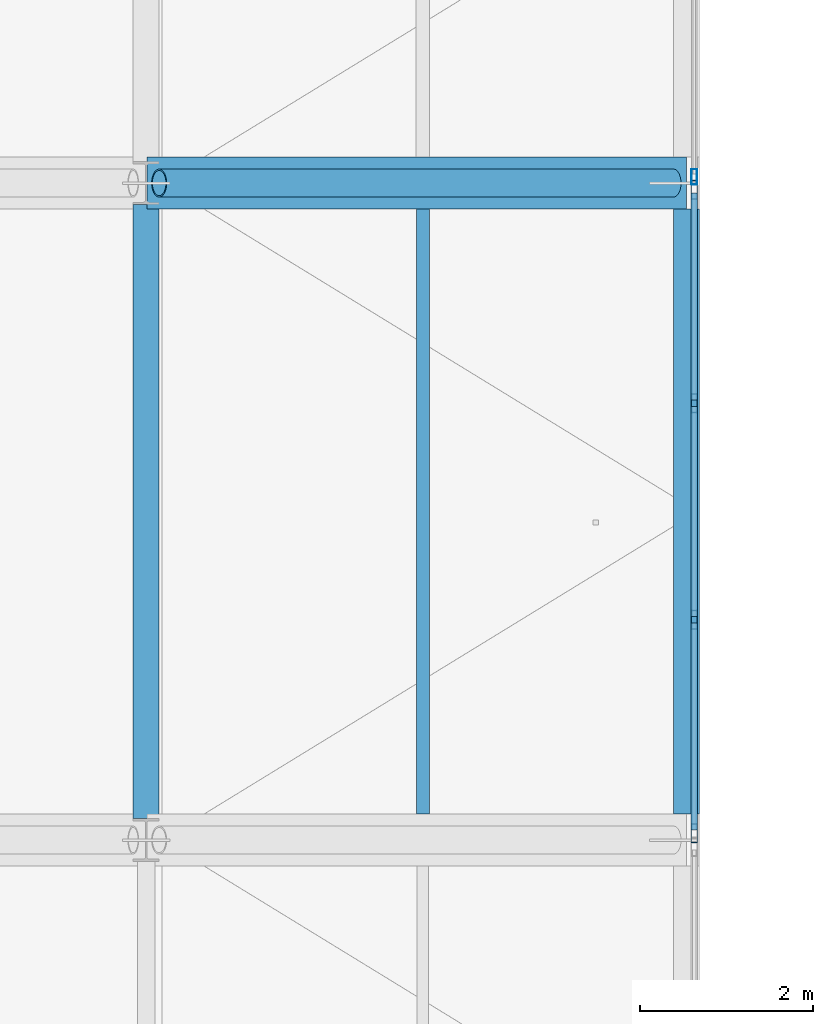
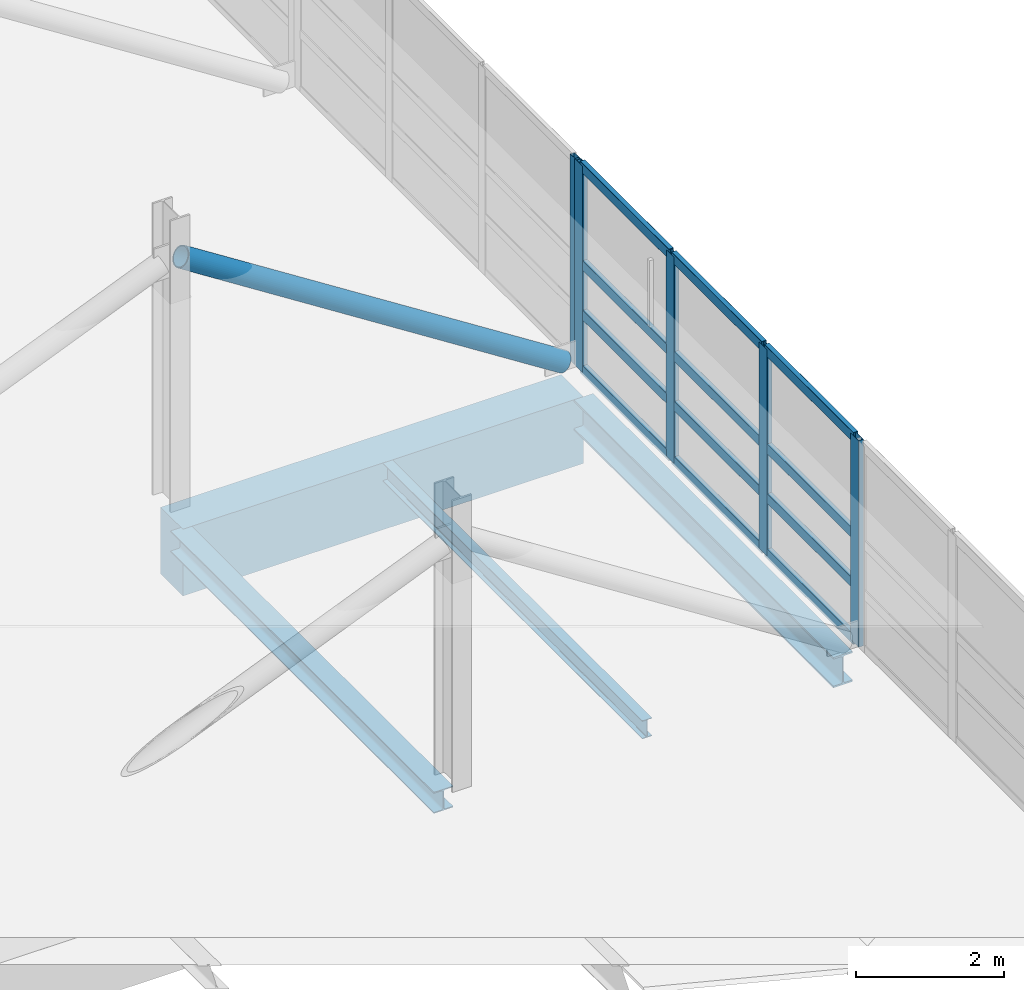
# One storey, part 17 of 147: 18 members, 4 beams, 2 elements without a shape of their own.
"""IFC4 building model written with IfcOpenShell, lengths in metres."""

from ifc_helpers import new_model, si_unit, direction, frame, origin, origin_2d, place, context, subcontext, project, spatial, rectangle, hollow_rectangle, hollow_circle, i_section, extrude, material, material_profile, profile_set, type_object, element, aggregate, save


model = new_model("IFC4")

# Units and contexts
model_context = context("Model", 3, precision=1e-05, world=origin(), true_north=direction((0.0, 1.0)))
body_context = subcontext(model_context, "Body", "Model", "MODEL_VIEW")
ifc_project = project(units=[si_unit("LENGTHUNIT", "METRE"), si_unit("AREAUNIT", "SQUARE_METRE"), si_unit("VOLUMEUNIT", "CUBIC_METRE"), si_unit("PLANEANGLEUNIT", "RADIAN"), si_unit("MASSUNIT", "GRAM", prefix="KILO")], contexts=[model_context])

# Site, building, storey
site_placement = place(None, origin())
site = spatial("IfcSite", under=ifc_project, at=site_placement, CompositionType="ELEMENT")
building_placement = place(site_placement, origin())
building = spatial("IfcBuilding", under=site, at=building_placement, Name="Khelvaren Railside Concert Hall", CompositionType="ELEMENT")
storey_placement = place(building_placement, frame((0.0, 0.0, 5.39990234375)))
storey = spatial("IfcBuildingStorey", under=building, at=storey_placement, Name="L01", CompositionType="ELEMENT", Elevation=5.39990234375)

# Beam
ifc_material_1 = material(Name="Steel S355", Category="steel")
ifc_material_profile_1 = material_profile(ifc_material_1, i_section(OverallWidth=0.300048828125, OverallDepth=0.35009765625, WebThickness=0.010009765625, FlangeThickness=0.017578125, FilletRadius=0.027099609375, at=origin_2d()), Name="HEA 360")
ifc_profile_set_1 = profile_set([ifc_material_profile_1], Name="Steel S355")
beam_type_1 = type_object("IfcBeamType", Name="BM73", PredefinedType="BEAM", material=ifc_profile_set_1)
beam_1_placement = place(storey_placement, frame((49.60009765625, 23.050048828125, -0.474853515625), z_axis=(0.0, 1.0, 0.0), x_axis=(-1.0, 0.0, 0.0)))
element("IfcBeam", 1, at=beam_1_placement, inside=storey, type_object=beam_type_1, Name="V1 L01 Beam Y7.4", PredefinedType="BEAM", context=body_context, shape_type="SweptSolid", body=[
    extrude(i_section(OverallWidth=0.300048828125, OverallDepth=0.35009765625, WebThickness=0.010009765625, FlangeThickness=0.017578125, FilletRadius=0.027099609375, at=origin_2d()), origin(), (0.0, 0.0, 1.0), 7.099853515625),
])

# Member
ifc_material_profile_2 = material_profile(ifc_material_1, hollow_circle(Radius=0.161865234375, WallThickness=0.01611328125, at=origin_2d()), Name="CHS 323.9x16")
ifc_profile_set_2 = profile_set([ifc_material_profile_2], Name="Steel S355")
member_type_1 = type_object("IfcMemberType", Name="BR78", PredefinedType="BRACE", material=ifc_profile_set_2)
member_1_placement = place(storey_placement, frame((49.75, 30.39990234375, 3.960205078125), z_axis=(0.842137077221, 0.0, -0.539263519228), x_axis=(0.0, 1.0, 0.0)))
element("IfcMember", 2, at=member_1_placement, inside=storey, type_object=member_type_1, Name="V1 L01 Plaza Cantilever Truss Diagonal 5A", PredefinedType="BRACE", context=body_context, shape_type="SweptSolid", body=[
    extrude(hollow_circle(Radius=0.161865234375, WallThickness=0.01611328125, at=origin_2d()), origin(), (0.0, 0.0, 1.0), 7.065185546875),
])

# Curtain wall, members
ifc_material_2 = material(Name="Triple-glazed solar-control glass", Category="glass")
curtain_wall_type_1 = type_object("IfcCurtainWallType", Name="CW88", PredefinedType="USERDEFINED", material=ifc_material_2)
curtain_wall_1_placement = place(storey_placement, origin())
curtain_wall_1 = element("IfcCurtainWall", 3, at=curtain_wall_1_placement, inside=storey, type_object=curtain_wall_type_1, Name="Unitised Curtain Wall CW-V1-L01-E-23", ObjectType="UNITISED CURTAIN WALL", PredefinedType="USERDEFINED")
ifc_material_3 = material(Name="Anodised architectural aluminium 6063-T6", Category="aluminium")
ifc_material_profile_3 = material_profile(ifc_material_3, hollow_rectangle(XDim=0.074951171875, YDim=0.219970703125, WallThickness=0.0048828125, InnerFilletRadius=0.0029296875, OuterFilletRadius=0.0048828125, at=origin_2d()), Name="CWM 75x220x5")
ifc_profile_set_3 = profile_set([ifc_material_profile_3], Name="Anodised architectural aluminium 6063-T6")
member_type_2 = type_object("IfcMemberType", Name="CWM13", PredefinedType="MULLION", material=ifc_profile_set_3)
member_2_placement = place(storey_placement, frame((55.93994140625, 30.322509765625, 0.0), z_axis=(0.0, 0.0, 1.0), x_axis=(1.0, 0.0, 0.0)))
member_2 = element("IfcMember", 4, at=member_2_placement, type_object=member_type_2, Name="CW88 mullion 1", PredefinedType="MULLION", context=body_context, shape_type="SweptSolid", body=[
    extrude(hollow_rectangle(XDim=0.074951171875, YDim=0.219970703125, WallThickness=0.0048828125, InnerFilletRadius=0.0029296875, OuterFilletRadius=0.0048828125, at=origin_2d()), origin(), (0.0, 0.0, 1.0), 3.400146484375),
])
member_3_placement = place(storey_placement, frame((55.93994140625, 27.853271484375, 0.0), z_axis=(0.0, 0.0, 1.0), x_axis=(1.0, 0.0, 0.0)))
member_3 = element("IfcMember", 5, at=member_3_placement, type_object=member_type_2, Name="CW88 mullion 2", PredefinedType="MULLION", context=body_context, shape_type="SweptSolid", body=[
    extrude(hollow_rectangle(XDim=0.074951171875, YDim=0.219970703125, WallThickness=0.0048828125, InnerFilletRadius=0.0029296875, OuterFilletRadius=0.0048828125, at=origin_2d()), origin(), (0.0, 0.0, 1.0), 3.400146484375),
])
member_4_placement = place(storey_placement, frame((55.93994140625, 25.3466796875, 0.0), z_axis=(0.0, 0.0, 1.0), x_axis=(1.0, 0.0, 0.0)))
member_4 = element("IfcMember", 6, at=member_4_placement, type_object=member_type_2, Name="CW88 mullion 3", PredefinedType="MULLION", context=body_context, shape_type="SweptSolid", body=[
    extrude(hollow_rectangle(XDim=0.074951171875, YDim=0.219970703125, WallThickness=0.0048828125, InnerFilletRadius=0.0029296875, OuterFilletRadius=0.0048828125, at=origin_2d()), origin(), (0.0, 0.0, 1.0), 3.400146484375),
])
member_5_placement = place(storey_placement, frame((55.93994140625, 22.87744140625, 0.0), z_axis=(0.0, 0.0, 1.0), x_axis=(1.0, 0.0, 0.0)))
member_5 = element("IfcMember", 7, at=member_5_placement, type_object=member_type_2, Name="CW88 mullion 4", PredefinedType="MULLION", context=body_context, shape_type="SweptSolid", body=[
    extrude(hollow_rectangle(XDim=0.074951171875, YDim=0.219970703125, WallThickness=0.0048828125, InnerFilletRadius=0.0029296875, OuterFilletRadius=0.0048828125, at=origin_2d()), origin(), (0.0, 0.0, 1.0), 3.400146484375),
])

# Curtain wall, member
ifc_material_4 = material(Name="Double-glazed low-E dark acoustic glass", Category="glass")
curtain_wall_type_2 = type_object("IfcCurtainWallType", Name="CW65", PredefinedType="USERDEFINED", material=ifc_material_4)
curtain_wall_2_placement = place(storey_placement, origin())
curtain_wall_2 = element("IfcCurtainWall", 8, at=curtain_wall_2_placement, inside=storey, type_object=curtain_wall_type_2, Name="Unitised Curtain Wall CW-V1-L01-E-30", ObjectType="UNITISED CURTAIN WALL", PredefinedType="USERDEFINED")
ifc_material_profile_4 = material_profile(ifc_material_3, hollow_rectangle(XDim=0.06494140625, YDim=0.179931640625, WallThickness=0.00390625, InnerFilletRadius=0.001953125, OuterFilletRadius=0.00390625, at=origin_2d()), Name="CWM 65x180x4")
ifc_profile_set_4 = profile_set([ifc_material_profile_4], Name="Anodised architectural aluminium 6063-T6")
member_type_3 = type_object("IfcMemberType", Name="CWM63", PredefinedType="MULLION", material=ifc_profile_set_4)
member_6_placement = place(storey_placement, frame((55.93994140625, 30.472412109375, 0.0), z_axis=(0.0, 0.0, 1.0), x_axis=(1.0, 0.0, 0.0)))
member_6 = element("IfcMember", 9, at=member_6_placement, type_object=member_type_3, Name="CW65 mullion 4", PredefinedType="MULLION", context=body_context, shape_type="SweptSolid", body=[
    extrude(hollow_rectangle(XDim=0.06494140625, YDim=0.179931640625, WallThickness=0.00390625, InnerFilletRadius=0.001953125, OuterFilletRadius=0.00390625, at=origin_2d()), origin(), (0.0, 0.0, 1.0), 3.400146484375),
])
aggregate(curtain_wall_2, [member_6])

# Member
ifc_material_profile_5 = material_profile(ifc_material_3, hollow_rectangle(XDim=0.074951171875, YDim=0.1650390625, WallThickness=0.00390625, InnerFilletRadius=0.001953125, OuterFilletRadius=0.00390625, at=origin_2d()), Name="CWT 75x165x4")
ifc_profile_set_5 = profile_set([ifc_material_profile_5], Name="Anodised architectural aluminium 6063-T6")
member_type_4 = type_object("IfcMemberType", Name="CWT46", PredefinedType="USERDEFINED", material=ifc_profile_set_5)
member_7_placement = place(storey_placement, frame((55.93994140625, 30.284912109375, 0.03759765625), z_axis=(0.0, -1.0, 0.0), x_axis=(1.0, 0.0, 0.0)))
member_7 = element("IfcMember", 10, at=member_7_placement, type_object=member_type_4, Name="CW88 transom 1.1", ObjectType="TRANSOM", PredefinedType="USERDEFINED", context=body_context, shape_type="SweptSolid", body=[
    extrude(hollow_rectangle(XDim=0.074951171875, YDim=0.1650390625, WallThickness=0.00390625, InnerFilletRadius=0.001953125, OuterFilletRadius=0.00390625, at=origin_2d()), origin(), (0.0, 0.0, 1.0), 2.39404296875),
])

member_8_placement = place(storey_placement, frame((55.93994140625, 30.284912109375, 0.9501953125), z_axis=(0.0, -1.0, 0.0), x_axis=(1.0, 0.0, 0.0)))
member_8 = element("IfcMember", 11, at=member_8_placement, type_object=member_type_4, Name="CW88 transom 1.2", ObjectType="TRANSOM", PredefinedType="USERDEFINED", context=body_context, shape_type="SweptSolid", body=[
    extrude(hollow_rectangle(XDim=0.074951171875, YDim=0.1650390625, WallThickness=0.00390625, InnerFilletRadius=0.001953125, OuterFilletRadius=0.00390625, at=origin_2d()), origin(), (0.0, 0.0, 1.0), 2.39404296875),
])

member_9_placement = place(storey_placement, frame((55.93994140625, 30.284912109375, 1.76806640625), z_axis=(0.0, -1.0, 0.0), x_axis=(1.0, 0.0, 0.0)))
member_9 = element("IfcMember", 12, at=member_9_placement, type_object=member_type_4, Name="CW88 transom 1.3", ObjectType="TRANSOM", PredefinedType="USERDEFINED", context=body_context, shape_type="SweptSolid", body=[
    extrude(hollow_rectangle(XDim=0.074951171875, YDim=0.1650390625, WallThickness=0.00390625, InnerFilletRadius=0.001953125, OuterFilletRadius=0.00390625, at=origin_2d()), origin(), (0.0, 0.0, 1.0), 2.39404296875),
])

member_10_placement = place(storey_placement, frame((55.93994140625, 30.284912109375, 3.362548828125), z_axis=(0.0, -1.0, 0.0), x_axis=(1.0, 0.0, 0.0)))
member_10 = element("IfcMember", 13, at=member_10_placement, type_object=member_type_4, Name="CW88 transom 1.4", ObjectType="TRANSOM", PredefinedType="USERDEFINED", context=body_context, shape_type="SweptSolid", body=[
    extrude(hollow_rectangle(XDim=0.074951171875, YDim=0.1650390625, WallThickness=0.00390625, InnerFilletRadius=0.001953125, OuterFilletRadius=0.00390625, at=origin_2d()), origin(), (0.0, 0.0, 1.0), 2.39404296875),
])

member_11_placement = place(storey_placement, frame((55.93994140625, 27.81591796875, 0.03759765625), z_axis=(0.0, -1.0, 0.0), x_axis=(1.0, 0.0, 0.0)))
member_11 = element("IfcMember", 14, at=member_11_placement, type_object=member_type_4, Name="CW88 transom 2.1", ObjectType="TRANSOM", PredefinedType="USERDEFINED", context=body_context, shape_type="SweptSolid", body=[
    extrude(hollow_rectangle(XDim=0.074951171875, YDim=0.1650390625, WallThickness=0.00390625, InnerFilletRadius=0.001953125, OuterFilletRadius=0.00390625, at=origin_2d()), origin(), (0.0, 0.0, 1.0), 2.431640625),
])

member_12_placement = place(storey_placement, frame((55.93994140625, 27.81591796875, 0.9501953125), z_axis=(0.0, -1.0, 0.0), x_axis=(1.0, 0.0, 0.0)))
member_12 = element("IfcMember", 15, at=member_12_placement, type_object=member_type_4, Name="CW88 transom 2.2", ObjectType="TRANSOM", PredefinedType="USERDEFINED", context=body_context, shape_type="SweptSolid", body=[
    extrude(hollow_rectangle(XDim=0.074951171875, YDim=0.1650390625, WallThickness=0.00390625, InnerFilletRadius=0.001953125, OuterFilletRadius=0.00390625, at=origin_2d()), origin(), (0.0, 0.0, 1.0), 2.431640625),
])

member_13_placement = place(storey_placement, frame((55.93994140625, 27.81591796875, 1.76806640625), z_axis=(0.0, -1.0, 0.0), x_axis=(1.0, 0.0, 0.0)))
member_13 = element("IfcMember", 16, at=member_13_placement, type_object=member_type_4, Name="CW88 transom 2.3", ObjectType="TRANSOM", PredefinedType="USERDEFINED", context=body_context, shape_type="SweptSolid", body=[
    extrude(hollow_rectangle(XDim=0.074951171875, YDim=0.1650390625, WallThickness=0.00390625, InnerFilletRadius=0.001953125, OuterFilletRadius=0.00390625, at=origin_2d()), origin(), (0.0, 0.0, 1.0), 2.431640625),
])

member_14_placement = place(storey_placement, frame((55.93994140625, 27.81591796875, 3.362548828125), z_axis=(0.0, -1.0, 0.0), x_axis=(1.0, 0.0, 0.0)))
member_14 = element("IfcMember", 17, at=member_14_placement, type_object=member_type_4, Name="CW88 transom 2.4", ObjectType="TRANSOM", PredefinedType="USERDEFINED", context=body_context, shape_type="SweptSolid", body=[
    extrude(hollow_rectangle(XDim=0.074951171875, YDim=0.1650390625, WallThickness=0.00390625, InnerFilletRadius=0.001953125, OuterFilletRadius=0.00390625, at=origin_2d()), origin(), (0.0, 0.0, 1.0), 2.431640625),
])

member_15_placement = place(storey_placement, frame((55.93994140625, 25.30908203125, 0.03759765625), z_axis=(0.0, -1.0, 0.0), x_axis=(1.0, 0.0, 0.0)))
member_15 = element("IfcMember", 18, at=member_15_placement, type_object=member_type_4, Name="CW88 transom 3.1", ObjectType="TRANSOM", PredefinedType="USERDEFINED", context=body_context, shape_type="SweptSolid", body=[
    extrude(hollow_rectangle(XDim=0.074951171875, YDim=0.1650390625, WallThickness=0.00390625, InnerFilletRadius=0.001953125, OuterFilletRadius=0.00390625, at=origin_2d()), origin(), (0.0, 0.0, 1.0), 2.39404296875),
])

member_16_placement = place(storey_placement, frame((55.93994140625, 25.30908203125, 0.9501953125), z_axis=(0.0, -1.0, 0.0), x_axis=(1.0, 0.0, 0.0)))
member_16 = element("IfcMember", 19, at=member_16_placement, type_object=member_type_4, Name="CW88 transom 3.2", ObjectType="TRANSOM", PredefinedType="USERDEFINED", context=body_context, shape_type="SweptSolid", body=[
    extrude(hollow_rectangle(XDim=0.074951171875, YDim=0.1650390625, WallThickness=0.00390625, InnerFilletRadius=0.001953125, OuterFilletRadius=0.00390625, at=origin_2d()), origin(), (0.0, 0.0, 1.0), 2.39404296875),
])

member_17_placement = place(storey_placement, frame((55.93994140625, 25.30908203125, 1.76806640625), z_axis=(0.0, -1.0, 0.0), x_axis=(1.0, 0.0, 0.0)))
member_17 = element("IfcMember", 20, at=member_17_placement, type_object=member_type_4, Name="CW88 transom 3.3", ObjectType="TRANSOM", PredefinedType="USERDEFINED", context=body_context, shape_type="SweptSolid", body=[
    extrude(hollow_rectangle(XDim=0.074951171875, YDim=0.1650390625, WallThickness=0.00390625, InnerFilletRadius=0.001953125, OuterFilletRadius=0.00390625, at=origin_2d()), origin(), (0.0, 0.0, 1.0), 2.39404296875),
])

member_18_placement = place(storey_placement, frame((55.93994140625, 25.30908203125, 3.362548828125), z_axis=(0.0, -1.0, 0.0), x_axis=(1.0, 0.0, 0.0)))
member_18 = element("IfcMember", 21, at=member_18_placement, type_object=member_type_4, Name="CW88 transom 3.4", ObjectType="TRANSOM", PredefinedType="USERDEFINED", context=body_context, shape_type="SweptSolid", body=[
    extrude(hollow_rectangle(XDim=0.074951171875, YDim=0.1650390625, WallThickness=0.00390625, InnerFilletRadius=0.001953125, OuterFilletRadius=0.00390625, at=origin_2d()), origin(), (0.0, 0.0, 1.0), 2.39404296875),
])

aggregate(curtain_wall_1, [member_2, member_3, member_4, member_5, member_7, member_8, member_9, member_10, member_11, member_12, member_13, member_14, member_15, member_16, member_17, member_18])

# Beams
ifc_material_5 = material(Name="Concrete C40/50", Category="concrete")
ifc_material_profile_6 = material_profile(ifc_material_5, rectangle(XDim=0.60009765625, YDim=1.10009765625, at=origin_2d()), Name="RCB 600x1100")
ifc_profile_set_6 = profile_set([ifc_material_profile_6], Name="Concrete C40/50")
beam_type_2 = type_object("IfcBeamType", Name="GR15", PredefinedType="T_BEAM", material=ifc_profile_set_6)
beam_2_placement = place(storey_placement, frame((49.610107421875, 30.39990234375, -0.849853515625), z_axis=(1.0, 0.0, 0.0), x_axis=(0.0, 1.0, 0.0)))
element("IfcBeam", 22, at=beam_2_placement, inside=storey, type_object=beam_type_2, Name="V1 L01 Arrival Cantilever Girder 5", PredefinedType="T_BEAM", context=body_context, shape_type="SweptSolid", body=[
    extrude(rectangle(XDim=0.60009765625, YDim=1.10009765625, at=origin_2d()), origin(), (0.0, 0.0, 1.0), 6.239990234375),
])
ifc_material_profile_7 = material_profile(ifc_material_1, i_section(OverallWidth=0.14990234375, OverallDepth=0.300048828125, WebThickness=0.007080078125, FlangeThickness=0.0107421875, FilletRadius=0.014892578125, at=origin_2d()), Name="IPE 300")
ifc_profile_set_7 = profile_set([ifc_material_profile_7], Name="Steel S355")
beam_type_3 = type_object("IfcBeamType", Name="JS26", PredefinedType="JOIST", material=ifc_profile_set_7)
beam_3_placement = place(storey_placement, frame((52.800048828125, 23.10009765625, -0.449951171875), z_axis=(0.0, 1.0, 0.0), x_axis=(-1.0, 0.0, 0.0)))
element("IfcBeam", 23, at=beam_3_placement, inside=storey, type_object=beam_type_3, Name="V1 L01 Secondary Joist 7.4", PredefinedType="JOIST", context=body_context, shape_type="SweptSolid", body=[
    extrude(i_section(OverallWidth=0.14990234375, OverallDepth=0.300048828125, WebThickness=0.007080078125, FlangeThickness=0.0107421875, FilletRadius=0.014892578125, at=origin_2d()), origin(), (0.0, 0.0, 1.0), 7.0),
])
ifc_material_profile_8 = material_profile(ifc_material_1, i_section(OverallWidth=0.300048828125, OverallDepth=0.5, WebThickness=0.014404296875, FlangeThickness=0.028076171875, FilletRadius=0.027099609375, at=origin_2d()), Name="HEB 500")
ifc_profile_set_8 = profile_set([ifc_material_profile_8], Name="Steel S355")
beam_type_4 = type_object("IfcBeamType", Name="SP12", PredefinedType="SPANDREL", material=ifc_profile_set_8)
beam_4_placement = place(storey_placement, frame((55.85009765625, 23.10009765625, -0.5498046875), z_axis=(0.0, 1.0, 0.0), x_axis=(-1.0, 0.0, 0.0)))
element("IfcBeam", 24, at=beam_4_placement, inside=storey, type_object=beam_type_4, Name="V1 L01 Cantilever Tip Spandrel Y4", PredefinedType="SPANDREL", context=body_context, shape_type="SweptSolid", body=[
    extrude(i_section(OverallWidth=0.300048828125, OverallDepth=0.5, WebThickness=0.014404296875, FlangeThickness=0.028076171875, FilletRadius=0.027099609375, at=origin_2d()), origin(), (0.0, 0.0, 1.0), 7.0),
])

save(model, "model.ifc")
